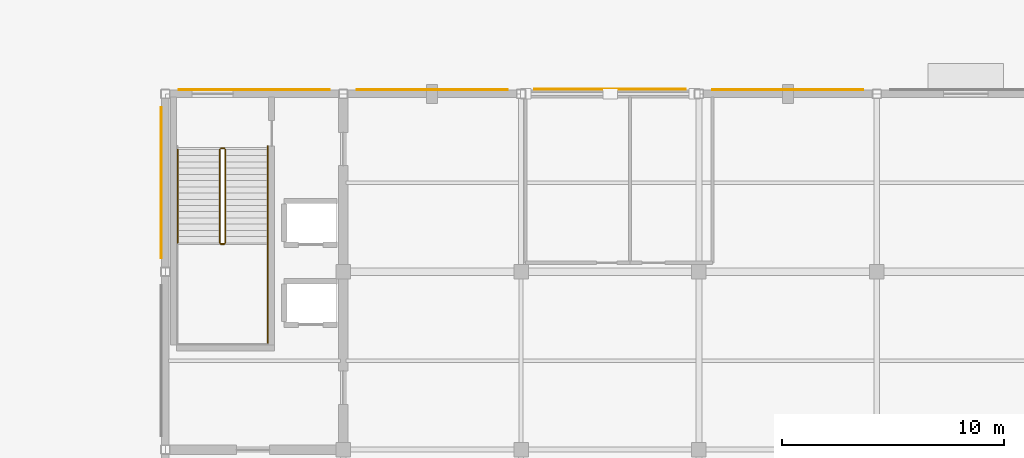
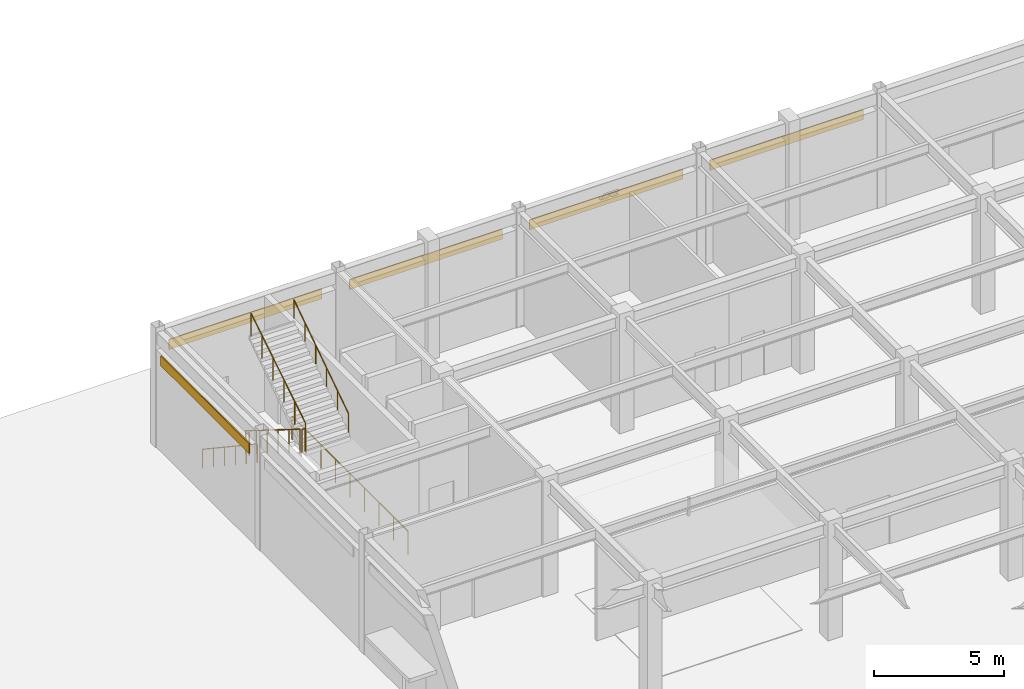
# One storey, part 121 of 128: 7 railings, 5 coverings.
"""IFC4 building model written with IfcOpenShell, lengths in metres."""

from ifc_helpers import new_model, si_unit, direction, frame, origin, origin_2d, place, context, subcontext, project, spatial, rectangle, circle, extrude, material, layer, layer_set, type_object, element, save


model = new_model("IFC4")

# Units and contexts
model_context = context("Model", 3, precision=1e-05, world=origin(), true_north=direction((0.0, 1.0)))
body_context = subcontext(model_context, "Body", "Model", "MODEL_VIEW")
ifc_project = project(units=[si_unit("LENGTHUNIT", "METRE"), si_unit("AREAUNIT", "SQUARE_METRE"), si_unit("VOLUMEUNIT", "CUBIC_METRE"), si_unit("PLANEANGLEUNIT", "RADIAN"), si_unit("MASSUNIT", "GRAM", prefix="KILO")], contexts=[model_context])

# Site, building, storey
site_placement = place(None, origin())
site = spatial("IfcSite", under=ifc_project, at=site_placement, CompositionType="ELEMENT")
building_placement = place(site_placement, origin())
building = spatial("IfcBuilding", under=site, at=building_placement, Name="Solmirada Galleria", CompositionType="ELEMENT")
storey_placement = place(building_placement, origin())
storey = spatial("IfcBuildingStorey", under=building, at=storey_placement, Name="L00", CompositionType="ELEMENT", Elevation=0.0)

# Coverings
ifc_material_1 = material(Name="Limestone cladding panels", Category="masonry")
ifc_layer = layer(ifc_material_1, 0.044921875)
ifc_layer_set = layer_set([ifc_layer], Name="Limestone cladding panels")
covering_type = type_object("IfcCoveringType", Name="COV-CLAD-LIME", PredefinedType="CLADDING", material=ifc_layer_set)
for number, where, z_axis, x_axis, name in (
    (1, (39.8076171875, 116.0, 4.090087890625), (0.0, 0.0, 1.0), (0.0, 1.0, 0.0), "Postmodern facade cladding L00-007"),
    (2, (44.0, 120.1923828125, 4.090087890625), (0.0, 0.0, 1.0), (1.0, 0.0, 0.0), "Postmodern facade cladding L00-008"),
    (3, (52.0, 120.1923828125, 4.090087890625), (0.0, 0.0, 1.0), (1.0, 0.0, 0.0), "Postmodern facade cladding L00-009"),
    (4, (60.0, 120.202392578125, 4.090087890625), (0.0, 0.0, 1.0), (1.0, 0.0, 0.0), "Postmodern facade cladding L00-010"),
    (5, (68.0, 120.1923828125, 4.090087890625), (0.0, 0.0, 1.0), (1.0, 0.0, 0.0), "Postmodern facade cladding L00-011"),
):
    element("IfcCovering", number, at=place(storey_placement, frame(where, z_axis=z_axis, x_axis=x_axis)), inside=storey, type_object=covering_type, Name=name, PredefinedType="CLADDING", context=body_context, shape_type="SweptSolid", body=[
        extrude(rectangle(XDim=6.7939453125, YDim=0.044921875, at=origin_2d()), origin(), (0.0, 0.0, 1.0), 0.4599609375),
    ])

# Railings
ifc_material_2 = material(Name="Painted steel tubular railing", Category="steel")
railing_type_1 = type_object("IfcRailingType", Name="RAIL-STAIR-GUARD", PredefinedType="GUARDRAIL", material=ifc_material_2)
railing_1_placement = place(storey_placement, frame((42.449951171875, 117.5, 0.175048828125)))
element("IfcRailing", 6, at=railing_1_placement, inside=storey, type_object=railing_type_1, Name="L00 ST1 stair guard 1", PredefinedType="GUARDRAIL", context=body_context, shape_type="SweptSolid", body=[
    extrude(circle(Radius=0.02392578125, at=origin_2d()), frame((0.0, 0.0, 1.076171875), z_axis=(0.0, -0.847995534698, 0.530003370869), x_axis=(1.0, 0.0, 0.0)), (0.0, 0.0, 1.0), 4.952880859375),
    extrude(circle(Radius=0.02099609375, at=origin_2d()), origin(), (0.0, 0.0, 1.0), 1.048095703125),
    extrude(circle(Radius=0.02099609375, at=origin_2d()), frame((0.0, -0.840087890625, 0.52490234375)), (0.0, 0.0, 1.0), 1.048095703125),
    extrude(circle(Radius=0.02099609375, at=origin_2d()), frame((0.0, -1.679931640625, 1.050048828125)), (0.0, 0.0, 1.0), 1.048095703125),
    extrude(circle(Radius=0.02099609375, at=origin_2d()), frame((0.0, -2.52001953125, 1.574951171875)), (0.0, 0.0, 1.0), 1.048095703125),
    extrude(circle(Radius=0.02099609375, at=origin_2d()), frame((0.0, -3.35986328125, 2.10009765625)), (0.0, 0.0, 1.0), 1.048095703125),
    extrude(circle(Radius=0.02099609375, at=origin_2d()), frame((0.0, -4.199951171875, 2.625)), (0.0, 0.0, 1.0), 1.048095703125),
])
railing_2_placement = place(storey_placement, frame((42.5, 113.25, 2.800048828125)))
element("IfcRailing", 7, at=railing_2_placement, inside=storey, type_object=railing_type_1, Name="L00 ST1 stair guard 2", PredefinedType="GUARDRAIL", context=body_context, shape_type="SweptSolid", body=[
    extrude(circle(Radius=0.02392578125, at=origin_2d()), frame((0.0, 0.0, 1.076171875), z_axis=(1.0, 0.0, 0.0), x_axis=(0.0, 1.0, 0.0)), (0.0, 0.0, 1.0), 0.14990234375),
    extrude(circle(Radius=0.02099609375, at=origin_2d()), origin(), (0.0, 0.0, 1.0), 1.048095703125),
    extrude(circle(Radius=0.02099609375, at=origin_2d()), frame((0.14990234375, 0.0, 0.0)), (0.0, 0.0, 1.0), 1.048095703125),
])
railing_3_placement = place(storey_placement, frame((42.699951171875, 113.300048828125, 2.97509765625)))
element("IfcRailing", 8, at=railing_3_placement, inside=storey, type_object=railing_type_1, Name="L00 ST1 stair guard 3", PredefinedType="GUARDRAIL", context=body_context, shape_type="SweptSolid", body=[
    extrude(circle(Radius=0.02392578125, at=origin_2d()), frame((0.0, 0.0, 1.076171875), z_axis=(0.0, 0.847995534698, 0.530003370869), x_axis=(-1.0, 0.0, 0.0)), (0.0, 0.0, 1.0), 4.952880859375),
    extrude(circle(Radius=0.02099609375, at=origin_2d()), origin(), (0.0, 0.0, 1.0), 1.048095703125),
    extrude(circle(Radius=0.02099609375, at=origin_2d()), frame((0.0, 0.840087890625, 0.52490234375)), (0.0, 0.0, 1.0), 1.048095703125),
    extrude(circle(Radius=0.02099609375, at=origin_2d()), frame((0.0, 1.679931640625, 1.050048828125)), (0.0, 0.0, 1.0), 1.048095703125),
    extrude(circle(Radius=0.02099609375, at=origin_2d()), frame((0.0, 2.52001953125, 1.574951171875)), (0.0, 0.0, 1.0), 1.048095703125),
    extrude(circle(Radius=0.02099609375, at=origin_2d()), frame((0.0, 3.35986328125, 2.10009765625)), (0.0, 0.0, 1.0), 1.048095703125),
    extrude(circle(Radius=0.02099609375, at=origin_2d()), frame((0.0, 4.199951171875, 2.625)), (0.0, 0.0, 1.0), 1.048095703125),
])
railing_4_placement = place(storey_placement, frame((42.5, 117.550048828125, 0.0)))
element("IfcRailing", 9, at=railing_4_placement, inside=storey, type_object=railing_type_1, Name="L00 ST1 stair guard 4", PredefinedType="GUARDRAIL", context=body_context, shape_type="SweptSolid", body=[
    extrude(circle(Radius=0.02392578125, at=origin_2d()), frame((0.0, 0.0, 1.076171875), z_axis=(1.0, 0.0, 0.0), x_axis=(0.0, 1.0, 0.0)), (0.0, 0.0, 1.0), 0.14990234375),
    extrude(circle(Radius=0.02099609375, at=origin_2d()), origin(), (0.0, 0.0, 1.0), 1.048095703125),
    extrude(circle(Radius=0.02099609375, at=origin_2d()), frame((0.14990234375, 0.0, 0.0)), (0.0, 0.0, 1.0), 1.048095703125),
])
railing_5_placement = place(storey_placement, frame((44.610107421875, 117.64990234375, 0.0)))
element("IfcRailing", 10, at=railing_5_placement, inside=storey, type_object=railing_type_1, Name="Stair ST1 well edge guard L00-1", PredefinedType="GUARDRAIL", context=body_context, shape_type="SweptSolid", body=[
    extrude(circle(Radius=0.02392578125, at=origin_2d()), frame((0.0, 0.0, 1.09619140625), z_axis=(0.0, -1.0, 0.0), x_axis=(1.0, 0.0, 0.0)), (0.0, 0.0, 1.0), 8.909912109375),
    extrude(circle(Radius=0.02099609375, at=origin_2d()), origin(), (0.0, 0.0, 1.0), 1.068115234375),
    extrude(circle(Radius=0.02099609375, at=origin_2d()), frame((0.0, -1.11376953125, 0.0)), (0.0, 0.0, 1.0), 1.068115234375),
    extrude(circle(Radius=0.02099609375, at=origin_2d()), frame((0.0, -2.2275390625, 0.0)), (0.0, 0.0, 1.0), 1.068115234375),
    extrude(circle(Radius=0.02099609375, at=origin_2d()), frame((0.0, -3.34130859375, 0.0)), (0.0, 0.0, 1.0), 1.068115234375),
    extrude(circle(Radius=0.02099609375, at=origin_2d()), frame((0.0, -4.455078125, 0.0)), (0.0, 0.0, 1.0), 1.068115234375),
    extrude(circle(Radius=0.02099609375, at=origin_2d()), frame((0.0, -5.568603515625, 0.0)), (0.0, 0.0, 1.0), 1.068115234375),
    extrude(circle(Radius=0.02099609375, at=origin_2d()), frame((0.0, -6.682373046875, 0.0)), (0.0, 0.0, 1.0), 1.068115234375),
    extrude(circle(Radius=0.02099609375, at=origin_2d()), frame((0.0, -7.796142578125, 0.0)), (0.0, 0.0, 1.0), 1.068115234375),
    extrude(circle(Radius=0.02099609375, at=origin_2d()), frame((0.0, -8.909912109375, 0.0)), (0.0, 0.0, 1.0), 1.068115234375),
])
railing_type_2 = type_object("IfcRailingType", Name="RAIL-STAIR-HAND", PredefinedType="HANDRAIL", material=ifc_material_2)
railing_6_placement = place(storey_placement, frame((40.550048828125, 117.5, 0.175048828125)))
element("IfcRailing", 11, at=railing_6_placement, inside=storey, type_object=railing_type_2, Name="L00 ST1 stair handrail 1", PredefinedType="HANDRAIL", context=body_context, shape_type="SweptSolid", body=[
    extrude(circle(Radius=0.02392578125, at=origin_2d()), frame((0.0, 0.0, 0.8759765625), z_axis=(0.0, -0.832042853317, 0.554711357594), x_axis=(1.0, 0.0, 0.0)), (0.0, 0.0, 1.0), 5.0478515625),
    extrude(circle(Radius=0.02099609375, at=origin_2d()), origin(), (0.0, 0.0, 1.0), 0.847900390625),
    extrude(circle(Radius=0.02099609375, at=origin_2d()), frame((0.0, -0.840087890625, 0.56005859375)), (0.0, 0.0, 1.0), 0.847900390625),
    extrude(circle(Radius=0.02099609375, at=origin_2d()), frame((0.0, -1.679931640625, 1.1201171875)), (0.0, 0.0, 1.0), 0.847900390625),
    extrude(circle(Radius=0.02099609375, at=origin_2d()), frame((0.0, -2.52001953125, 1.679931640625)), (0.0, 0.0, 1.0), 0.847900390625),
    extrude(circle(Radius=0.02099609375, at=origin_2d()), frame((0.0, -3.35986328125, 2.239990234375)), (0.0, 0.0, 1.0), 0.847900390625),
    extrude(circle(Radius=0.02099609375, at=origin_2d()), frame((0.0, -4.199951171875, 2.800048828125)), (0.0, 0.0, 1.0), 0.847900390625),
])
railing_7_placement = place(storey_placement, frame((44.60009765625, 113.300048828125, 2.97509765625)))
element("IfcRailing", 12, at=railing_7_placement, inside=storey, type_object=railing_type_2, Name="L00 ST1 stair handrail 2", PredefinedType="HANDRAIL", context=body_context, shape_type="SweptSolid", body=[
    extrude(circle(Radius=0.02392578125, at=origin_2d()), frame((0.0, 0.0, 0.8759765625), z_axis=(0.0, 0.83206517633, 0.554677872589), x_axis=(-1.0, 0.0, 0.0)), (0.0, 0.0, 1.0), 5.047607421875),
    extrude(circle(Radius=0.02099609375, at=origin_2d()), origin(), (0.0, 0.0, 1.0), 0.847900390625),
    extrude(circle(Radius=0.02099609375, at=origin_2d()), frame((0.0, 0.840087890625, 0.56005859375)), (0.0, 0.0, 1.0), 0.847900390625),
    extrude(circle(Radius=0.02099609375, at=origin_2d()), frame((0.0, 1.679931640625, 1.119873046875)), (0.0, 0.0, 1.0), 0.847900390625),
    extrude(circle(Radius=0.02099609375, at=origin_2d()), frame((0.0, 2.52001953125, 1.679931640625)), (0.0, 0.0, 1.0), 0.847900390625),
    extrude(circle(Radius=0.02099609375, at=origin_2d()), frame((0.0, 3.35986328125, 2.23974609375)), (0.0, 0.0, 1.0), 0.847900390625),
    extrude(circle(Radius=0.02099609375, at=origin_2d()), frame((0.0, 4.199951171875, 2.7998046875)), (0.0, 0.0, 1.0), 0.847900390625),
])

save(model, "model.ifc")
